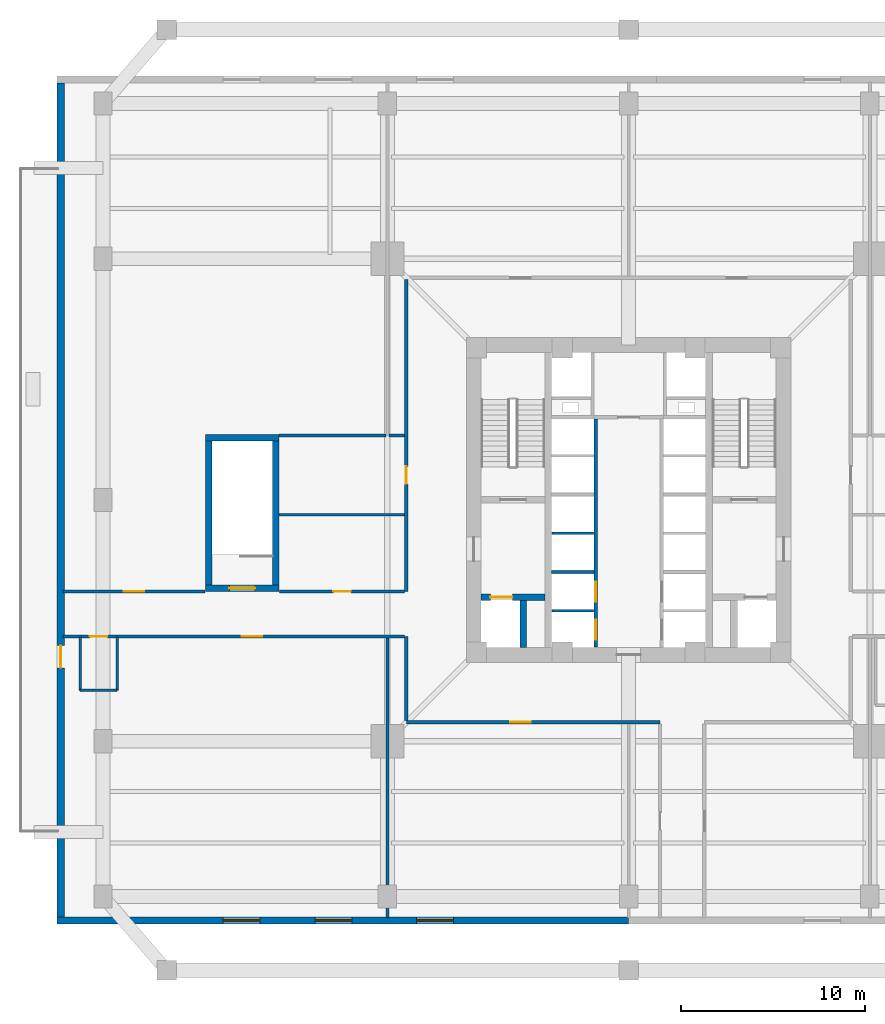
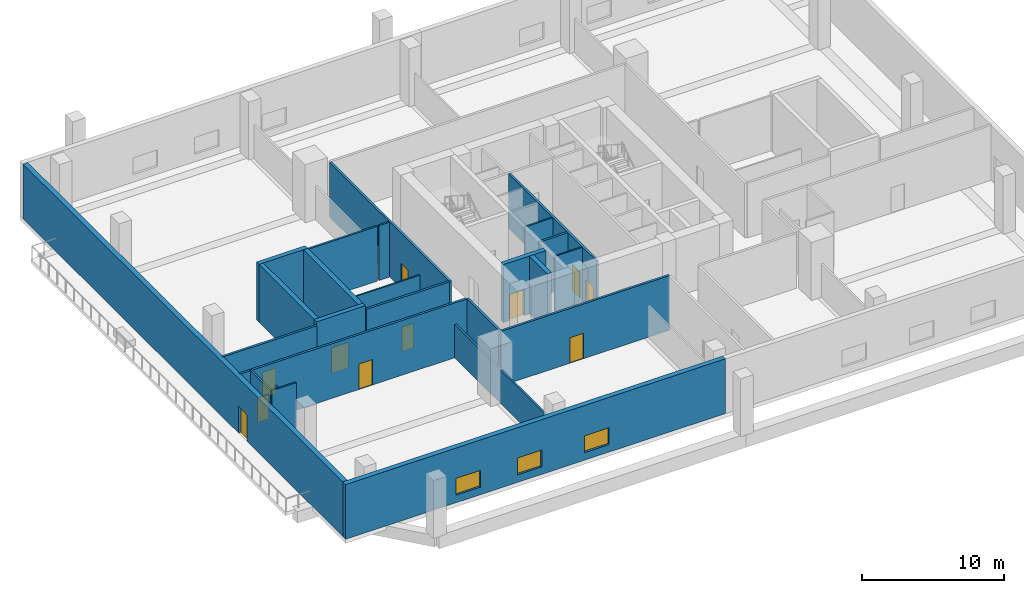
# One storey, part 2 of 8: 25 walls, 11 doors, 3 windows, 14 openings.
"""IFC4 building model written with IfcOpenShell, lengths in metres."""

from ifc_helpers import new_model, si_unit, direction, frame, frame_2d, origin, place, context, subcontext, project, spatial, rectangle, extrude, source, transform, mapped, material, layer, layer_set, type_object, element, fill, save


model = new_model("IFC4")

# Units and contexts
model_context = context("Model", 3, precision=1e-05, world=origin(), true_north=direction((0.0, 1.0)))
body_context = subcontext(model_context, "Body", "Model", "MODEL_VIEW")
ifc_project = project(units=[si_unit("LENGTHUNIT", "METRE"), si_unit("AREAUNIT", "SQUARE_METRE"), si_unit("VOLUMEUNIT", "CUBIC_METRE"), si_unit("PLANEANGLEUNIT", "RADIAN"), si_unit("MASSUNIT", "GRAM", prefix="KILO"), si_unit("THERMODYNAMICTEMPERATUREUNIT", "KELVIN")], contexts=[model_context])

# Site, building, storey
site_placement = place(None, origin())
site = spatial("IfcSite", under=ifc_project, at=site_placement, CompositionType="ELEMENT")
building_placement = place(site_placement, origin())
building = spatial("IfcBuilding", under=site, at=building_placement, Name="Kosmvard Interchange Tower", CompositionType="ELEMENT")
storey_placement = place(building_placement, frame((0.0, 0.0, 21.0)))
storey = spatial("IfcBuildingStorey", under=building, at=storey_placement, Name="L04", CompositionType="ELEMENT", Elevation=21.0)

# Walls
ifc_material_1 = material(Name="Acoustic gypsum partition system")
ifc_layer_1 = layer(ifc_material_1, 0.14990234375, Name="Acoustic gypsum partition system")
ifc_layer_set_1 = layer_set([ifc_layer_1], Name="Acoustic gypsum partition system")
wall_type_1 = type_object("IfcWallType", Name="Acoustic Suite & Meeting Partition 150", PredefinedType="PARTITIONING", material=ifc_layer_set_1)
wall_1_placement = place(storey_placement, frame((-18.9599609375, 3.5, 0.0), z_axis=(0.0, 0.0, 1.0), x_axis=(1.0, 0.0, 0.0)))
element("IfcWall", 1, at=wall_1_placement, inside=storey, type_object=wall_type_1, Name="L04 Room Partition 04.1", PredefinedType="PARTITIONING", context=body_context, shape_type="SweptSolid", body=[
    extrude(rectangle(XDim=5.803955078125, YDim=0.14990234375, at=frame_2d((2.90185546875, 0.0))), origin(), (0.0, 0.0, 1.0), 4.719970703125),
])
wall_2_placement = place(storey_placement, frame((-13.006103515625, 3.5, 0.0), z_axis=(0.0, 0.0, 1.0), x_axis=(1.0, 0.0, 0.0)))
element("IfcWall", 2, at=wall_2_placement, inside=storey, type_object=wall_type_1, Name="L04 Room Partition 04.2", PredefinedType="PARTITIONING", context=body_context, shape_type="SweptSolid", body=[
    extrude(rectangle(XDim=0.861083984375, YDim=0.14990234375, at=frame_2d((0.4306640625, 0.0))), origin(), (0.0, 0.0, 1.0), 4.719970703125),
])
wall_3_placement = place(storey_placement, frame((-13.0810546875, -22.6650390625, 0.0), z_axis=(0.0, 0.0, 1.0), x_axis=(0.0, 1.0, 0.0)))
element("IfcWall", 3, at=wall_3_placement, inside=storey, type_object=wall_type_1, Name="L04 Room Partition 08.1", PredefinedType="PARTITIONING", context=body_context, shape_type="SweptSolid", body=[
    extrude(rectangle(XDim=15.169921875, YDim=0.14990234375, at=frame_2d((7.5849609375, 0.0))), origin(), (0.0, 0.0, 1.0), 2.8798828125),
])

# Wall, openings, doors
ifc_material_2 = material(Name="Fire-rated gypsum partition system")
ifc_layer_2 = layer(ifc_material_2, 0.179931640625, Name="Fire-rated gypsum partition system")
ifc_layer_set_2 = layer_set([ifc_layer_2], Name="Fire-rated gypsum partition system")
wall_type_2 = type_object("IfcWallType", Name="Corridor & Hotel Compartment Partition 180", PredefinedType="PARTITIONING", material=ifc_layer_set_2)
wall_4_placement = place(storey_placement, frame((-1.7900390625, -7.97998046875, 0.0), z_axis=(0.0, 0.0, 1.0), x_axis=(0.0, 1.0, 0.0)))
wall_4 = element("IfcWall", 4, at=wall_4_placement, inside=storey, type_object=wall_type_2, Name="L04 West Lift Bank Front Wall", PredefinedType="PARTITIONING", context=body_context, shape_type="SweptSolid", body=[
    extrude(rectangle(XDim=12.3798828125, YDim=0.179931640625, at=frame_2d((6.18994140625, 0.0))), origin(), (0.0, 0.0, 1.0), 4.719970703125),
])
opening_1_placement = place(wall_4_placement, frame((0.39990234375, 0.0, 0.0)))
opening_1 = element("IfcOpeningElement", 5, at=opening_1_placement, cuts=wall_4, Name="Opening LD-PL-L1-L04", PredefinedType="OPENING", context=body_context, shape_type="SweptSolid", body=[
    extrude(rectangle(XDim=1.10009765625, YDim=2.199951171875, at=frame_2d((0.550048828125, 1.10009765625))), frame((0.0, 0.10009765625, 0.0), z_axis=(0.0, -1.0, 0.0), x_axis=(1.0, 0.0, 0.0)), (0.0, 0.0, 1.0), 0.199951171875),
])
opening_2_placement = place(wall_4_placement, frame((2.4599609375, 0.0, 0.0)))
opening_2 = element("IfcOpeningElement", 6, at=opening_2_placement, cuts=wall_4, Name="Opening LD-PL-L2-L04", PredefinedType="OPENING", context=body_context, shape_type="SweptSolid", body=[
    extrude(rectangle(XDim=1.10009765625, YDim=2.199951171875, at=frame_2d((0.550048828125, 1.10009765625))), frame((0.0, 0.10009765625, 0.0), z_axis=(0.0, -1.0, 0.0), x_axis=(1.0, 0.0, 0.0)), (0.0, 0.0, 1.0), 0.199951171875),
])
ifc_material_3 = material(Name="Brushed stainless steel sliding leaf", Category="steel")
door_type_1 = type_object("IfcDoorType", Name="Passenger Lift Sliding Landing Door 1100x2200 EI60", OperationType="DOUBLE_DOOR_SLIDING", PredefinedType="DOOR", material=ifc_material_3)
shared_shape_1 = source(origin(), body_context, "Body", "SweptSolid", [
    extrude(rectangle(XDim=1.10009765625, YDim=2.199951171875, at=frame_2d((0.550048828125, 1.10009765625))), frame((0.0, 0.02490234375, 0.0), z_axis=(0.0, -1.0, 0.0), x_axis=(1.0, 0.0, 0.0)), (0.0, 0.0, 1.0), 0.050048828125),
])
door_1_placement = place(opening_1_placement, frame((1.10009765625, 0.0, 0.0), z_axis=(0.0, 0.0, 1.0), x_axis=(-1.0, 0.0, 0.0)))
door_1 = element("IfcDoor", 7, at=door_1_placement, inside=storey, type_object=door_type_1, Name="Lift PL-L1 Landing Door L04", OperationType="DOUBLE_DOOR_SLIDING", OverallHeight=2.199951171875, OverallWidth=1.10009765625, PredefinedType="DOOR", context=body_context, shape_type="MappedRepresentation", body=[
    mapped(shared_shape_1, transform((0.0, 0.0, 0.0), scale=1.0)),
])
fill(opening_1, door_1)
door_2_placement = place(opening_2_placement, frame((1.10009765625, 0.0, 0.0), z_axis=(0.0, 0.0, 1.0), x_axis=(-1.0, 0.0, 0.0)))
door_2 = element("IfcDoor", 8, at=door_2_placement, inside=storey, type_object=door_type_1, Name="Lift PL-L2 Landing Door L04", OperationType="DOUBLE_DOOR_SLIDING", OverallHeight=2.199951171875, OverallWidth=1.10009765625, PredefinedType="DOOR", context=body_context, shape_type="MappedRepresentation", body=[
    mapped(shared_shape_1, transform((0.0, 0.0, 0.0), scale=1.0)),
])
fill(opening_2, door_2)

# Wall, opening, door
wall_5_placement = place(storey_placement, frame((-12.050048828125, -12.050048828125, 0.0), z_axis=(0.0, 0.0, 1.0), x_axis=(1.0, 0.0, 0.0)))
wall_5 = element("IfcWall", 9, at=wall_5_placement, inside=storey, type_object=wall_type_2, Name="L04 Corridor Wall CSW", PredefinedType="PARTITIONING", context=body_context, shape_type="SweptSolid", body=[
    extrude(rectangle(XDim=13.75, YDim=0.179931640625, at=frame_2d((6.875, 0.0))), origin(), (0.0, 0.0, 1.0), 4.719970703125),
])
opening_3_placement = place(wall_5_placement, frame((5.639404296875, 0.0, 0.0)))
opening_3 = element("IfcOpeningElement", 10, at=opening_3_placement, cuts=wall_5, Name="Opening L04-D12", PredefinedType="OPENING", context=body_context, shape_type="SweptSolid", body=[
    extrude(rectangle(XDim=1.10009765625, YDim=2.199951171875, at=frame_2d((0.550048828125, 1.10009765625))), frame((0.0, 0.10009765625, 0.0), z_axis=(0.0, -1.0, 0.0), x_axis=(1.0, 0.0, 0.0)), (0.0, 0.0, 1.0), 0.199951171875),
])
ifc_material_4 = material(Name="Engineered oak fire-rated timber", Category="wood")
door_type_2 = type_object("IfcDoorType", Name="Office Suite Entrance Door 1100x2200 FD30S", OperationType="NOTDEFINED", PredefinedType="DOOR", material=ifc_material_4)
door_3_placement = place(opening_3_placement, frame((1.10009765625, 0.0, 0.0), z_axis=(0.0, 0.0, 1.0), x_axis=(-1.0, 0.0, 0.0)))
door_3 = element("IfcDoor", 11, at=door_3_placement, inside=storey, type_object=door_type_2, Name="L04 L04 Seminar Briefing Room 3 Door", OperationType="SINGLE_SWING_RIGHT", OverallHeight=2.199951171875, OverallWidth=1.10009765625, PredefinedType="DOOR", context=body_context, shape_type="MappedRepresentation", body=[
    mapped(shared_shape_1, transform((0.0, 0.0, 0.0), scale=1.0)),
])
fill(opening_3, door_3)

# Wall
wall_6_placement = place(storey_placement, frame((-12.050048828125, -11.949951171875, 0.0), z_axis=(0.0, 0.0, 1.0), x_axis=(0.0, 1.0, 0.0)))
element("IfcWall", 12, at=wall_6_placement, inside=storey, type_object=wall_type_2, Name="L04 Corridor Wall CWS", PredefinedType="PARTITIONING", context=body_context, shape_type="SweptSolid", body=[
    extrude(rectangle(XDim=4.550048828125, YDim=0.179931640625, at=frame_2d((2.27490234375, 0.0))), origin(), (0.0, 0.0, 1.0), 4.719970703125),
])

# Wall, opening, door
wall_7_placement = place(storey_placement, frame((-12.050048828125, -4.9599609375, 0.0), z_axis=(0.0, 0.0, 1.0), x_axis=(0.0, 1.0, 0.0)))
wall_7 = element("IfcWall", 13, at=wall_7_placement, inside=storey, type_object=wall_type_2, Name="L04 Corridor Wall CWN", PredefinedType="PARTITIONING", context=body_context, shape_type="SweptSolid", body=[
    extrude(rectangle(XDim=16.909912109375, YDim=0.179931640625, at=frame_2d((8.455078125, 0.0))), origin(), (0.0, 0.0, 1.0), 4.719970703125),
])
opening_4_placement = place(wall_7_placement, frame((5.8349609375, 0.0, 0.0)))
opening_4 = element("IfcOpeningElement", 14, at=opening_4_placement, cuts=wall_7, Name="Opening L04-D08", PredefinedType="OPENING", context=body_context, shape_type="SweptSolid", body=[
    extrude(rectangle(XDim=0.949951171875, YDim=2.14990234375, at=frame_2d((0.47509765625, 1.074951171875))), frame((0.0, 0.10009765625, 0.0), z_axis=(0.0, -1.0, 0.0), x_axis=(1.0, 0.0, 0.0)), (0.0, 0.0, 1.0), 0.199951171875),
])
ifc_material_5 = material(Name="Engineered oak acoustic timber", Category="wood")
door_type_3 = type_object("IfcDoorType", Name="Meeting & Cellular Office Door 950x2150", OperationType="NOTDEFINED", PredefinedType="DOOR", material=ifc_material_5)
shared_shape_2 = source(origin(), body_context, "Body", "SweptSolid", [
    extrude(rectangle(XDim=0.949951171875, YDim=2.14990234375, at=frame_2d((0.47509765625, 1.074951171875))), frame((0.0, 0.02490234375, 0.0), z_axis=(0.0, -1.0, 0.0), x_axis=(1.0, 0.0, 0.0)), (0.0, 0.0, 1.0), 0.050048828125),
])
door_4_placement = place(opening_4_placement, origin())
door_4 = element("IfcDoor", 15, at=door_4_placement, inside=storey, type_object=door_type_3, Name="L04 L04 Traveler Medical Clinic Door", OperationType="SINGLE_SWING_RIGHT", OverallHeight=2.14990234375, OverallWidth=0.949951171875, PredefinedType="DOOR", context=body_context, shape_type="MappedRepresentation", body=[
    mapped(shared_shape_2, transform((0.0, 0.0, 0.0), scale=1.0)),
])
fill(opening_4, door_4)

# Wall, openings, doors
wall_8_placement = place(storey_placement, frame((-30.6650390625, -7.39990234375, 0.0), z_axis=(0.0, 0.0, 1.0), x_axis=(1.0, 0.0, 0.0)))
wall_8 = element("IfcWall", 16, at=wall_8_placement, inside=storey, type_object=wall_type_2, Name="L04 Corridor Wall SWS", PredefinedType="PARTITIONING", context=body_context, shape_type="SweptSolid", body=[
    extrude(rectangle(XDim=18.51513671875, YDim=0.179931640625, at=frame_2d((9.257568359375, 0.0))), origin(), (0.0, 0.0, 1.0), 4.719970703125),
])
opening_5_placement = place(wall_8_placement, frame((1.455078125, 0.0, 0.0)))
opening_5 = element("IfcOpeningElement", 17, at=opening_5_placement, cuts=wall_8, Name="Opening L04-D01", PredefinedType="OPENING", context=body_context, shape_type="SweptSolid", body=[
    extrude(rectangle(XDim=0.949951171875, YDim=2.10009765625, at=frame_2d((0.47509765625, 1.050048828125))), frame((0.0, 0.10009765625, 0.0), z_axis=(0.0, -1.0, 0.0), x_axis=(1.0, 0.0, 0.0)), (0.0, 0.0, 1.0), 0.199951171875),
])
opening_6_placement = place(wall_8_placement, frame((9.700927734375, 0.0, 0.0)))
opening_6 = element("IfcOpeningElement", 18, at=opening_6_placement, cuts=wall_8, Name="Opening L04-D11", PredefinedType="OPENING", context=body_context, shape_type="SweptSolid", body=[
    extrude(rectangle(XDim=1.10009765625, YDim=2.199951171875, at=frame_2d((0.550048828125, 1.10009765625))), frame((0.0, 0.10009765625, 0.0), z_axis=(0.0, -1.0, 0.0), x_axis=(1.0, 0.0, 0.0)), (0.0, 0.0, 1.0), 0.199951171875),
])
ifc_material_6 = material(Name="Laminated moisture-resistant timber", Category="wood")
door_type_4 = type_object("IfcDoorType", Name="Accessible Washroom Door 950x2100", OperationType="NOTDEFINED", PredefinedType="DOOR", material=ifc_material_6)
shared_shape_3 = source(origin(), body_context, "Body", "SweptSolid", [
    extrude(rectangle(XDim=0.949951171875, YDim=2.10009765625, at=frame_2d((0.47509765625, 1.050048828125))), frame((0.0, 0.02490234375, 0.0), z_axis=(0.0, -1.0, 0.0), x_axis=(1.0, 0.0, 0.0)), (0.0, 0.0, 1.0), 0.050048828125),
])
door_5_placement = place(opening_5_placement, frame((0.949951171875, 0.0, 0.0), z_axis=(0.0, 0.0, 1.0), x_axis=(-1.0, 0.0, 0.0)))
door_5 = element("IfcDoor", 19, at=door_5_placement, inside=storey, type_object=door_type_4, Name="L04 Accessible Toilet Door", OperationType="SINGLE_SWING_LEFT", OverallHeight=2.10009765625, OverallWidth=0.949951171875, PredefinedType="DOOR", context=body_context, shape_type="MappedRepresentation", body=[
    mapped(shared_shape_3, transform((0.0, 0.0, 0.0), scale=1.0)),
])
fill(opening_5, door_5)
door_6_placement = place(opening_6_placement, frame((1.10009765625, 0.0, 0.0), z_axis=(0.0, 0.0, 1.0), x_axis=(-1.0, 0.0, 0.0)))
door_6 = element("IfcDoor", 20, at=door_6_placement, inside=storey, type_object=door_type_2, Name="L04 L04 West Terrace Reading Lounge Door", OperationType="SINGLE_SWING_LEFT", OverallHeight=2.199951171875, OverallWidth=1.10009765625, PredefinedType="DOOR", context=body_context, shape_type="MappedRepresentation", body=[
    mapped(shared_shape_1, transform((0.0, 0.0, 0.0), scale=1.0)),
])
fill(opening_6, door_6)

# Wall, opening, door
wall_9_placement = place(storey_placement, frame((-30.6650390625, -4.9599609375, 0.0), z_axis=(0.0, 0.0, 1.0), x_axis=(1.0, 0.0, 0.0)))
wall_9 = element("IfcWall", 21, at=wall_9_placement, inside=storey, type_object=wall_type_2, Name="L04 Corridor Wall SWN1", PredefinedType="PARTITIONING", context=body_context, shape_type="SweptSolid", body=[
    extrude(rectangle(XDim=7.68505859375, YDim=0.179931640625, at=frame_2d((3.842529296875, 0.0))), origin(), (0.0, 0.0, 1.0), 4.719970703125),
])
opening_7_placement = place(wall_9_placement, frame((3.29248046875, 0.0, 0.0)))
opening_7 = element("IfcOpeningElement", 22, at=opening_7_placement, cuts=wall_9, Name="Opening L04-D03", PredefinedType="OPENING", context=body_context, shape_type="SweptSolid", body=[
    extrude(rectangle(XDim=1.10009765625, YDim=2.199951171875, at=frame_2d((0.550048828125, 1.10009765625))), frame((0.0, 0.10009765625, 0.0), z_axis=(0.0, -1.0, 0.0), x_axis=(1.0, 0.0, 0.0)), (0.0, 0.0, 1.0), 0.199951171875),
])
door_7_placement = place(opening_7_placement, origin())
door_7 = element("IfcDoor", 23, at=door_7_placement, inside=storey, type_object=door_type_2, Name="L04 L04 West Co-Working Workplace Door", OperationType="SINGLE_SWING_LEFT", OverallHeight=2.199951171875, OverallWidth=1.10009765625, PredefinedType="DOOR", context=body_context, shape_type="MappedRepresentation", body=[
    mapped(shared_shape_1, transform((0.0, 0.0, 0.0), scale=1.0)),
])
fill(opening_7, door_7)

wall_10_placement = place(storey_placement, frame((-18.919921875, -4.9599609375, 0.0), z_axis=(0.0, 0.0, 1.0), x_axis=(1.0, 0.0, 0.0)))
wall_10 = element("IfcWall", 24, at=wall_10_placement, inside=storey, type_object=wall_type_2, Name="L04 Corridor Wall SWN2", PredefinedType="PARTITIONING", context=body_context, shape_type="SweptSolid", body=[
    extrude(rectangle(XDim=6.77001953125, YDim=0.179931640625, at=frame_2d((3.385009765625, 0.0))), origin(), (0.0, 0.0, 1.0), 4.719970703125),
])
opening_8_placement = place(wall_10_placement, frame((2.909912109375, 0.0, 0.0)))
opening_8 = element("IfcOpeningElement", 25, at=opening_8_placement, cuts=wall_10, Name="Opening L04-D07", PredefinedType="OPENING", context=body_context, shape_type="SweptSolid", body=[
    extrude(rectangle(XDim=0.949951171875, YDim=2.14990234375, at=frame_2d((0.47509765625, 1.074951171875))), frame((0.0, 0.10009765625, 0.0), z_axis=(0.0, -1.0, 0.0), x_axis=(1.0, 0.0, 0.0)), (0.0, 0.0, 1.0), 0.199951171875),
])
door_8_placement = place(opening_8_placement, origin())
door_8 = element("IfcDoor", 26, at=door_8_placement, inside=storey, type_object=door_type_3, Name="L04 L04 Business Servery Pantry Door", OperationType="SINGLE_SWING_LEFT", OverallHeight=2.14990234375, OverallWidth=0.949951171875, PredefinedType="DOOR", context=body_context, shape_type="MappedRepresentation", body=[
    mapped(shared_shape_2, transform((0.0, 0.0, 0.0), scale=1.0)),
])
fill(opening_8, door_8)

# Wall
ifc_material_7 = material(Name="Gypsum board partition system")
ifc_layer_3 = layer(ifc_material_7, 0.1201171875, Name="Gypsum board partition system")
ifc_layer_set_3 = layer_set([ifc_layer_3], Name="Gypsum board partition system")
wall_type_3 = type_object("IfcWallType", Name="Office Cellular Partition 120", PredefinedType="PARTITIONING", material=ifc_layer_set_3)
wall_11_placement = place(storey_placement, frame((-18.9599609375, -0.800048828125, 0.0), z_axis=(0.0, 0.0, 1.0), x_axis=(1.0, 0.0, 0.0)))
element("IfcWall", 27, at=wall_11_placement, inside=storey, type_object=wall_type_3, Name="L04 Room Partition 06.1", PredefinedType="PARTITIONING", context=body_context, shape_type="SweptSolid", body=[
    extrude(rectangle(XDim=6.81494140625, YDim=0.1201171875, at=frame_2d((3.407470703125, 0.0))), origin(), (0.0, 0.0, 1.0), 2.75),
])

# Wall, openings, windows
ifc_material_8 = material(Name="Precast concrete C45/55", Category="concrete")
ifc_layer_4 = layer(ifc_material_8, 0.39990234375, Name="Precast concrete C45/55")
ifc_layer_set_4 = layer_set([ifc_layer_4], Name="Precast concrete C45/55")
wall_type_4 = type_object("IfcWallType", Name="Podium Precast Stone Pier Wall 400 C45/55", PredefinedType="STANDARD", material=ifc_layer_set_4)
wall_12_placement = place(storey_placement, frame((-31.0, -22.800048828125, 0.0), z_axis=(0.0, 0.0, 1.0), x_axis=(1.0, 0.0, 0.0)))
wall_12 = element("IfcWall", 28, at=wall_12_placement, inside=storey, type_object=wall_type_4, Name="L04 Podium Precast Wall EW-S1", PredefinedType="STANDARD", context=body_context, shape_type="SweptSolid", body=[
    extrude(rectangle(XDim=31.0, YDim=0.39990234375, at=frame_2d((15.5, 0.0))), origin(), (0.0, 0.0, 1.0), 4.719970703125),
])
opening_9_placement = place(wall_12_placement, frame((9.0, 0.0, 0.64990234375)))
opening_9 = element("IfcOpeningElement", 29, at=opening_9_placement, cuts=wall_12, Name="Opening L04-W1", PredefinedType="OPENING", context=body_context, shape_type="SweptSolid", body=[
    extrude(rectangle(XDim=2.0, YDim=1.449951171875, at=frame_2d((1.0, 0.72509765625))), frame((0.0, 0.2099609375, 0.0), z_axis=(0.0, -1.0, 0.0), x_axis=(1.0, 0.0, 0.0)), (0.0, 0.0, 1.0), 0.419921875),
])
opening_10_placement = place(wall_12_placement, frame((14.0, 0.0, 0.64990234375)))
opening_10 = element("IfcOpeningElement", 30, at=opening_10_placement, cuts=wall_12, Name="Opening L04-W2", PredefinedType="OPENING", context=body_context, shape_type="SweptSolid", body=[
    extrude(rectangle(XDim=2.0, YDim=1.449951171875, at=frame_2d((1.0, 0.72509765625))), frame((0.0, 0.2099609375, 0.0), z_axis=(0.0, -1.0, 0.0), x_axis=(1.0, 0.0, 0.0)), (0.0, 0.0, 1.0), 0.419921875),
])
opening_11_placement = place(wall_12_placement, frame((19.5, 0.0, 0.64990234375)))
opening_11 = element("IfcOpeningElement", 31, at=opening_11_placement, cuts=wall_12, Name="Opening L04-W3", PredefinedType="OPENING", context=body_context, shape_type="SweptSolid", body=[
    extrude(rectangle(XDim=2.0, YDim=1.449951171875, at=frame_2d((1.0, 0.72509765625))), frame((0.0, 0.2099609375, 0.0), z_axis=(0.0, -1.0, 0.0), x_axis=(1.0, 0.0, 0.0)), (0.0, 0.0, 1.0), 0.419921875),
])
ifc_material_9 = material(Name="Low-E solar-control double glazing", Category="glass")
window_type = type_object("IfcWindowType", Name="Transfer Zone Punched Window 2000x1450", PartitioningType="SINGLE_PANEL", PredefinedType="WINDOW", material=ifc_material_9)
shared_shape_4 = source(origin(), body_context, "Body", "SweptSolid", [
    extrude(rectangle(XDim=2.0, YDim=1.449951171875, at=frame_2d((1.0, 0.72509765625))), frame((0.0, 0.030029296875, 0.0), z_axis=(0.0, -1.0, 0.0), x_axis=(1.0, 0.0, 0.0)), (0.0, 0.0, 1.0), 0.06005859375),
])
window_1_placement = place(opening_9_placement, origin())
window_1 = element("IfcWindow", 32, at=window_1_placement, inside=storey, type_object=window_type, Name="L04 Podium Window 1", OverallHeight=1.449951171875, OverallWidth=2.0, PartitioningType="SINGLE_PANEL", PredefinedType="WINDOW", context=body_context, shape_type="MappedRepresentation", body=[
    mapped(shared_shape_4, transform((0.0, 0.0, 0.0), scale=1.0)),
])
fill(opening_9, window_1)
window_2_placement = place(opening_10_placement, origin())
window_2 = element("IfcWindow", 33, at=window_2_placement, inside=storey, type_object=window_type, Name="L04 Podium Window 2", OverallHeight=1.449951171875, OverallWidth=2.0, PartitioningType="SINGLE_PANEL", PredefinedType="WINDOW", context=body_context, shape_type="MappedRepresentation", body=[
    mapped(shared_shape_4, transform((0.0, 0.0, 0.0), scale=1.0)),
])
fill(opening_10, window_2)
window_3_placement = place(opening_11_placement, origin())
window_3 = element("IfcWindow", 34, at=window_3_placement, inside=storey, type_object=window_type, Name="L04 Podium Window 3", OverallHeight=1.449951171875, OverallWidth=2.0, PartitioningType="SINGLE_PANEL", PredefinedType="WINDOW", context=body_context, shape_type="MappedRepresentation", body=[
    mapped(shared_shape_4, transform((0.0, 0.0, 0.0), scale=1.0)),
])
fill(opening_11, window_3)

# Wall, opening, door
wall_13_placement = place(storey_placement, frame((-30.800048828125, -22.60009765625, 0.0), z_axis=(0.0, 0.0, 1.0), x_axis=(0.0, 1.0, 0.0)))
wall_13 = element("IfcWall", 35, at=wall_13_placement, inside=storey, type_object=wall_type_4, Name="L04 Podium Precast Wall EW-W", PredefinedType="STANDARD", context=body_context, shape_type="SweptSolid", body=[
    extrude(rectangle(XDim=45.2001953125, YDim=0.39990234375, at=frame_2d((22.60009765625, 0.0))), origin(), (0.0, 0.0, 1.0), 4.719970703125),
])
opening_12_placement = place(wall_13_placement, frame((13.5, 0.0, 0.0)))
opening_12 = element("IfcOpeningElement", 36, at=opening_12_placement, cuts=wall_13, Name="Opening L04-TDW", PredefinedType="OPENING", context=body_context, shape_type="SweptSolid", body=[
    extrude(rectangle(XDim=1.199951171875, YDim=2.300048828125, at=frame_2d((0.60009765625, 1.14990234375))), frame((0.0, 0.2099609375, 0.0), z_axis=(0.0, -1.0, 0.0), x_axis=(1.0, 0.0, 0.0)), (0.0, 0.0, 1.0), 0.419921875),
])
ifc_material_10 = material(Name="Anodised aluminium and safety glass", Category="aluminium")
door_type_5 = type_object("IfcDoorType", Name="Cascade Terrace Glazed Door 1200x2300", OperationType="NOTDEFINED", PredefinedType="DOOR", material=ifc_material_10)
shared_shape_5 = source(origin(), body_context, "Body", "SweptSolid", [
    extrude(rectangle(XDim=1.199951171875, YDim=2.300048828125, at=frame_2d((0.60009765625, 1.14990234375))), frame((0.0, 0.02490234375, 0.0), z_axis=(0.0, -1.0, 0.0), x_axis=(1.0, 0.0, 0.0)), (0.0, 0.0, 1.0), 0.050048828125),
])
door_9_placement = place(opening_12_placement, frame((1.199951171875, 0.0, 0.0), z_axis=(0.0, 0.0, 1.0), x_axis=(-1.0, 0.0, 0.0)))
door_9 = element("IfcDoor", 37, at=door_9_placement, inside=storey, type_object=door_type_5, Name="L04 West Cascading Terrace Door", OperationType="SINGLE_SWING_LEFT", OverallHeight=2.300048828125, OverallWidth=1.199951171875, PredefinedType="DOOR", context=body_context, shape_type="MappedRepresentation", body=[
    mapped(shared_shape_5, transform((0.0, 0.0, 0.0), scale=1.0)),
])
fill(opening_12, door_9)

# Walls
ifc_material_11 = material(Name="Concrete blockwork masonry", Category="masonry")
ifc_layer_5 = layer(ifc_material_11, 0.179931640625, Name="Concrete blockwork masonry")
ifc_layer_set_5 = layer_set([ifc_layer_5], Name="Concrete blockwork masonry")
wall_type_5 = type_object("IfcWallType", Name="Riser & Lift Bank Divider Wall 180", PredefinedType="PARTITIONING", material=ifc_layer_set_5)
wall_14_placement = place(storey_placement, frame((-4.169921875, -3.89990234375, 0.0), z_axis=(0.0, 0.0, 1.0), x_axis=(1.0, 0.0, 0.0)))
element("IfcWall", 38, at=wall_14_placement, inside=storey, type_object=wall_type_5, Name="L04 West Bank Divider BD1", PredefinedType="PARTITIONING", context=body_context, shape_type="SweptSolid", body=[
    extrude(rectangle(XDim=2.280029296875, YDim=0.179931640625, at=frame_2d((1.14013671875, 0.0))), origin(), (0.0, 0.0, 1.0), 4.719970703125),
])
ifc_material_12 = material(Name="Fire-rated gypsum shaftwall system")
ifc_layer_6 = layer(ifc_material_12, 0.1201171875, Name="Fire-rated gypsum shaftwall system")
ifc_layer_set_6 = layer_set([ifc_layer_6], Name="Fire-rated gypsum shaftwall system")
wall_type_6 = type_object("IfcWallType", Name="Shaft & Riser Fire Partition 120 EI60", PredefinedType="PARTITIONING", material=ifc_layer_set_6)
for number, where, z_axis, x_axis, name in (
    (39, (-4.159912109375, -6.0, 0.0), (0.0, 0.0, 1.0), (1.0, 0.0, 0.0), "L04 Shaft Divider PL-L1"),
    (40, (-4.159912109375, -1.800048828125, 0.0), (0.0, 0.0, 1.0), (1.0, 0.0, 0.0), "L04 Shaft Divider PL-M1"),
):
    element("IfcWall", number, at=place(storey_placement, frame(where, z_axis=z_axis, x_axis=x_axis)), inside=storey, type_object=wall_type_6, Name=name, PredefinedType="PARTITIONING", context=body_context, shape_type="SweptSolid", body=[
        extrude(rectangle(XDim=2.260009765625, YDim=0.1201171875, at=frame_2d((1.1298828125, 0.0))), origin(), (0.0, 0.0, 1.0), 4.719970703125),
    ])

# Wall, opening, door
ifc_material_13 = material(Name="Concrete C60/75", Category="concrete")
ifc_layer_7 = layer(ifc_material_13, 0.360107421875, Name="Concrete C60/75")
ifc_layer_set_7 = layer_set([ifc_layer_7], Name="Concrete C60/75")
wall_type_7 = type_object("IfcWallType", Name="Stair & Lift Shaft Shear Wall 360 C60/75", PredefinedType="SHEAR", material=ifc_layer_set_7)
wall_15_placement = place(storey_placement, frame((-8.0, -5.280029296875, 0.0), z_axis=(0.0, 0.0, 1.0), x_axis=(1.0, 0.0, 0.0)))
wall_15 = element("IfcWall", 41, at=wall_15_placement, inside=storey, type_object=wall_type_7, Name="L04 Shaft Shear Wall SW-FF1", PredefinedType="SHEAR", context=body_context, shape_type="SweptSolid", body=[
    extrude(rectangle(XDim=3.4599609375, YDim=0.360107421875, at=frame_2d((1.72998046875, 0.0))), origin(), (0.0, 0.0, 1.0), 5.0),
])
opening_13_placement = place(wall_15_placement, frame((0.5, 0.0, 0.0)))
opening_13 = element("IfcOpeningElement", 42, at=opening_13_placement, cuts=wall_15, Name="Opening LD-FF-1-L04", PredefinedType="OPENING", context=body_context, shape_type="SweptSolid", body=[
    extrude(rectangle(XDim=1.199951171875, YDim=2.25, at=frame_2d((0.60009765625, 1.125))), frame((0.0, 0.18994140625, 0.0), z_axis=(0.0, -1.0, 0.0), x_axis=(1.0, 0.0, 0.0)), (0.0, 0.0, 1.0), 0.380126953125),
])
door_type_6 = type_object("IfcDoorType", Name="Firefighting Lift Sliding Landing Door 1200x2250 EI120", OperationType="DOUBLE_DOOR_SLIDING", PredefinedType="DOOR", material=ifc_material_3)
shared_shape_6 = source(origin(), body_context, "Body", "SweptSolid", [
    extrude(rectangle(XDim=1.199951171875, YDim=2.25, at=frame_2d((0.60009765625, 1.125))), frame((0.0, 0.02490234375, 0.0), z_axis=(0.0, -1.0, 0.0), x_axis=(1.0, 0.0, 0.0)), (0.0, 0.0, 1.0), 0.050048828125),
])
door_10_placement = place(opening_13_placement, origin())
door_10 = element("IfcDoor", 43, at=door_10_placement, inside=storey, type_object=door_type_6, Name="Lift FF-1 Landing Door L04", OperationType="DOUBLE_DOOR_SLIDING", OverallHeight=2.25, OverallWidth=1.199951171875, PredefinedType="DOOR", context=body_context, shape_type="MappedRepresentation", body=[
    mapped(shared_shape_6, transform((0.0, 0.0, 0.0), scale=1.0)),
])
fill(opening_13, door_10)

# Wall
wall_16_placement = place(storey_placement, frame((-5.7099609375, -8.0, 0.0), z_axis=(0.0, 0.0, 1.0), x_axis=(0.0, 1.0, 0.0)))
element("IfcWall", 44, at=wall_16_placement, inside=storey, type_object=wall_type_7, Name="L04 Shaft Shear Wall SW-SM1", PredefinedType="SHEAR", context=body_context, shape_type="SweptSolid", body=[
    extrude(rectangle(XDim=2.5400390625, YDim=0.360107421875, at=frame_2d((1.27001953125, 0.0))), origin(), (0.0, 0.0, 1.0), 5.0),
])

# Wall, opening, door
wall_17_placement = place(storey_placement, frame((-22.93994140625, -4.780029296875, 0.0), z_axis=(0.0, 0.0, 1.0), x_axis=(1.0, 0.0, 0.0)))
wall_17 = element("IfcWall", 45, at=wall_17_placement, inside=storey, type_object=wall_type_7, Name="L04 Podium Stair Shear Wall ST3S", PredefinedType="SHEAR", context=body_context, shape_type="SweptSolid", body=[
    extrude(rectangle(XDim=3.97998046875, YDim=0.360107421875, at=frame_2d((1.989990234375, 0.0))), origin(), (0.0, 0.0, 1.0), 5.0),
])
opening_14_placement = place(wall_17_placement, frame((1.2900390625, 0.0, 0.0)))
opening_14 = element("IfcOpeningElement", 46, at=opening_14_placement, cuts=wall_17, Name="Opening L04-SD3", PredefinedType="OPENING", context=body_context, shape_type="SweptSolid", body=[
    extrude(rectangle(XDim=1.39990234375, YDim=2.199951171875, at=frame_2d((0.699951171875, 1.10009765625))), frame((0.0, 0.18994140625, 0.0), z_axis=(0.0, -1.0, 0.0), x_axis=(1.0, 0.0, 0.0)), (0.0, 0.0, 1.0), 0.380126953125),
])
ifc_material_14 = material(Name="Painted fire-rated steel leaf", Category="steel")
door_type_7 = type_object("IfcDoorType", Name="Protected Stair Door 1400x2200 FD60S", OperationType="NOTDEFINED", PredefinedType="DOOR", material=ifc_material_14)
shared_shape_7 = source(origin(), body_context, "Body", "SweptSolid", [
    extrude(rectangle(XDim=1.39990234375, YDim=2.199951171875, at=frame_2d((0.699951171875, 1.10009765625))), frame((0.0, 0.02490234375, 0.0), z_axis=(0.0, -1.0, 0.0), x_axis=(1.0, 0.0, 0.0)), (0.0, 0.0, 1.0), 0.050048828125),
])
door_11_placement = place(opening_14_placement, origin())
door_11 = element("IfcDoor", 47, at=door_11_placement, inside=storey, type_object=door_type_7, Name="L04 Podium Stair ST3 Door", OperationType="SINGLE_SWING_LEFT", OverallHeight=2.199951171875, OverallWidth=1.39990234375, PredefinedType="DOOR", context=body_context, shape_type="MappedRepresentation", body=[
    mapped(shared_shape_7, transform((0.0, 0.0, 0.0), scale=1.0)),
])
fill(opening_14, door_11)

# Walls
wall_18_placement = place(storey_placement, frame((-22.93994140625, 3.3798828125, 0.0), z_axis=(0.0, 0.0, 1.0), x_axis=(1.0, 0.0, 0.0)))
element("IfcWall", 48, at=wall_18_placement, inside=storey, type_object=wall_type_7, Name="L04 Podium Stair Shear Wall ST3N", PredefinedType="SHEAR", context=body_context, shape_type="SweptSolid", body=[
    extrude(rectangle(XDim=3.97998046875, YDim=0.360107421875, at=frame_2d((1.989990234375, 0.0))), origin(), (0.0, 0.0, 1.0), 5.0),
])
for number, where, z_axis, x_axis, name in (
    (49, (-22.760009765625, -4.60009765625, 0.0), (0.0, 0.0, 1.0), (0.0, 1.0, 0.0), "L04 Podium Stair Shear Wall ST3W"),
    (50, (-19.139892578125, -4.60009765625, 0.0), (0.0, 0.0, 1.0), (0.0, 1.0, 0.0), "L04 Podium Stair Shear Wall ST3E"),
):
    element("IfcWall", number, at=place(storey_placement, frame(where, z_axis=z_axis, x_axis=x_axis)), inside=storey, type_object=wall_type_7, Name=name, PredefinedType="SHEAR", context=body_context, shape_type="SweptSolid", body=[
        extrude(rectangle(XDim=7.800048828125, YDim=0.360107421875, at=frame_2d((3.89990234375, 0.0))), origin(), (0.0, 0.0, 1.0), 5.0),
    ])
ifc_material_15 = material(Name="Moisture-resistant gypsum partition")
ifc_layer_8 = layer(ifc_material_15, 0.135009765625, Name="Moisture-resistant gypsum partition")
ifc_layer_set_8 = layer_set([ifc_layer_8], Name="Moisture-resistant gypsum partition")
wall_type_8 = type_object("IfcWallType", Name="Wet Room Moisture-Resistant Partition 135", PredefinedType="PARTITIONING", material=ifc_layer_set_8)
wall_19_placement = place(storey_placement, frame((-29.735107421875, -10.320068359375, 0.0), z_axis=(0.0, 0.0, 1.0), x_axis=(1.0, 0.0, 0.0)))
element("IfcWall", 51, at=wall_19_placement, inside=storey, type_object=wall_type_8, Name="L04 Washroom Partition AWC1-S", PredefinedType="PARTITIONING", context=body_context, shape_type="SweptSolid", body=[
    extrude(rectangle(XDim=2.0, YDim=0.135009765625, at=frame_2d((1.0, 0.0))), origin(), (0.0, 0.0, 1.0), 4.719970703125),
])
wall_20_placement = place(storey_placement, frame((-27.735107421875, -10.320068359375, 0.0), z_axis=(0.0, 0.0, 1.0), x_axis=(0.0, 1.0, 0.0)))
element("IfcWall", 52, at=wall_20_placement, inside=storey, type_object=wall_type_8, Name="L04 Washroom Partition AWC1-E", PredefinedType="PARTITIONING", context=body_context, shape_type="SweptSolid", body=[
    extrude(rectangle(XDim=2.900146484375, YDim=0.135009765625, at=frame_2d((1.4501953125, 0.0))), origin(), (0.0, 0.0, 1.0), 2.75),
])
wall_21_placement = place(storey_placement, frame((-29.735107421875, -10.320068359375, 0.0), z_axis=(0.0, 0.0, 1.0), x_axis=(0.0, 1.0, 0.0)))
element("IfcWall", 53, at=wall_21_placement, inside=storey, type_object=wall_type_8, Name="L04 Washroom Partition AWC1-W", PredefinedType="PARTITIONING", context=body_context, shape_type="SweptSolid", body=[
    extrude(rectangle(XDim=2.900146484375, YDim=0.135009765625, at=frame_2d((1.4501953125, 0.0))), origin(), (0.0, 0.0, 1.0), 4.719970703125),
])

save(model, "model.ifc")
